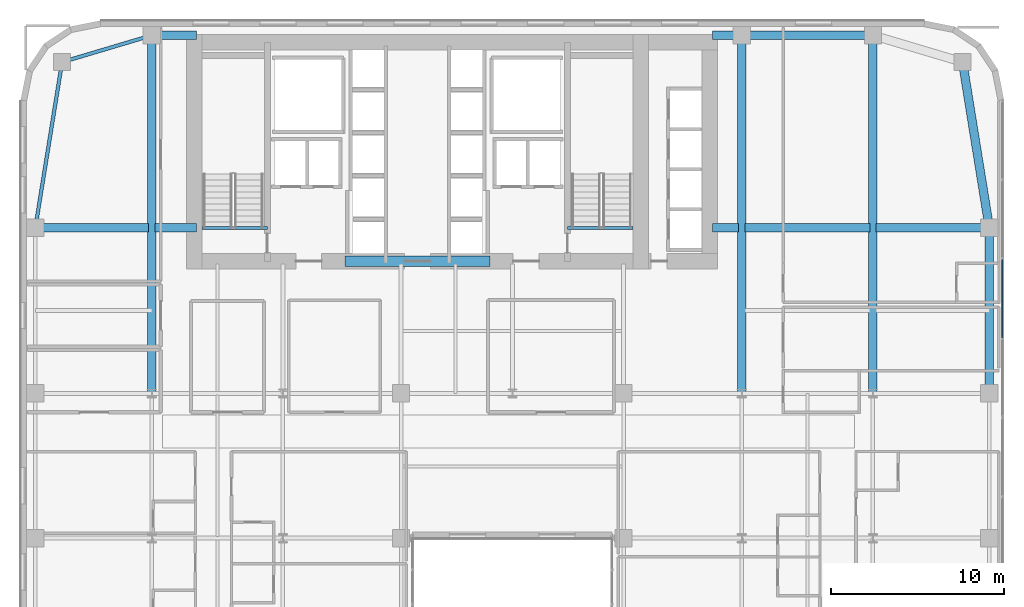
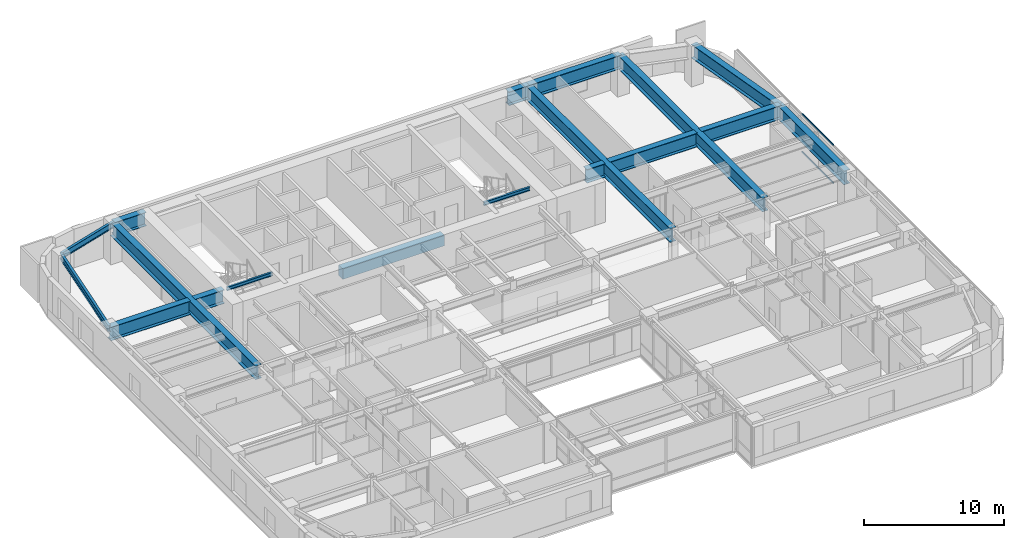
# One storey, part 16 of 31: 18 beams, 3 members, 1 element without a shape of its own.
"""IFC4 building model written with IfcOpenShell, lengths in metres."""

from ifc_helpers import new_model, si_unit, direction, frame, origin, origin_2d, place, context, subcontext, project, spatial, rectangle, hollow_rectangle, i_section, extrude, source, transform, mapped, material, layer, layer_set, material_profile, profile_set, type_object, type_shapes, element, aggregate, save


model = new_model("IFC4")

# Units and contexts
model_context = context("Model", 3, precision=1e-05, world=origin(), true_north=direction((0.0, 1.0)))
body_context = subcontext(model_context, "Body", "Model", "MODEL_VIEW")
ifc_project = project(units=[si_unit("LENGTHUNIT", "METRE"), si_unit("AREAUNIT", "SQUARE_METRE"), si_unit("VOLUMEUNIT", "CUBIC_METRE"), si_unit("PLANEANGLEUNIT", "RADIAN"), si_unit("MASSUNIT", "GRAM", prefix="KILO")], contexts=[model_context])

# Site, building, storey
site_placement = place(None, origin())
site = spatial("IfcSite", under=ifc_project, at=site_placement, CompositionType="ELEMENT")
building_placement = place(site_placement, origin())
building = spatial("IfcBuilding", under=site, at=building_placement, Name="Tolvann Quenvar Hotel", CompositionType="ELEMENT")
storey_placement = place(building_placement, frame((0.0, 0.0, 74.60009765625)))
storey = spatial("IfcBuildingStorey", under=building, at=storey_placement, Name="L18", CompositionType="ELEMENT", Elevation=74.60009765625)

# Beams
ifc_material_1 = material(Name="Concrete N50 (50 MPa)", Category="concrete")
ifc_material_profile_1 = material_profile(ifc_material_1, rectangle(XDim=0.60009765625, YDim=0.89990234375, at=origin_2d()), Name="RC600x900")
ifc_profile_set_1 = profile_set([ifc_material_profile_1], Name="Concrete N50 (50 MPa)")
beam_type_1 = type_object("IfcBeamType", Name="BM_LINT_RC600x900", PredefinedType="LINTEL", material=ifc_profile_set_1)
shared_shape_1 = source(origin(), body_context, "Body", "SweptSolid", [
    extrude(rectangle(XDim=0.60009765625, YDim=0.89990234375, at=origin_2d()), origin(), (0.0, 0.0, 1.0), 8.39990234375),
])
type_shapes(beam_type_1, [shared_shape_1])
beam_1_placement = place(storey_placement, frame((18.800048828125, 32.050048828125, 2.919921875), z_axis=(1.0, 0.0, 0.0), x_axis=(0.0, 1.0, 0.0)))
element("IfcBeam", 1, at=beam_1_placement, inside=storey, type_object=beam_type_1, Name="Core Coupling Lintel Beam (L18)", PredefinedType="LINTEL", context=body_context, shape_type="MappedRepresentation", body=[
    mapped(shared_shape_1, transform((0.0, 0.0, 0.0), x_axis=(1.0, 0.0, 0.0), y_axis=(0.0, 1.0, 0.0), z_axis=(0.0, 0.0, 1.0), scale=1.0)),
])
ifc_material_2 = material(Name="Steel Grade 350", Category="steel")
ifc_material_profile_2 = material_profile(ifc_material_2, i_section(OverallWidth=0.5, OverallDepth=1.199951171875, WebThickness=0.01611328125, FlangeThickness=0.0400390625, at=origin_2d()), Name="1200WB455")
ifc_profile_set_2 = profile_set([ifc_material_profile_2], Name="Steel Grade 350")
beam_type_2 = type_object("IfcBeamType", Name="BM_TG_1200WB455", PredefinedType="USERDEFINED", material=ifc_profile_set_2)
shared_shape_2 = source(origin(), body_context, "Body", "SweptSolid", [
    extrude(i_section(OverallWidth=0.5, OverallDepth=1.199951171875, WebThickness=0.01611328125, FlangeThickness=0.0400390625, at=origin_2d()), origin(), (0.0, 0.0, 1.0), 7.599853515625),
])
beam_2_placement = place(storey_placement, frame((49.39990234375, 45.14990234375, 2.77001953125), z_axis=(-1.0, 0.0, 0.0), x_axis=(0.0, -1.0, 0.0)))
element("IfcBeam", 2, at=beam_2_placement, inside=storey, type_object=beam_type_2, Name="BM-L18-FLK-E4", ObjectType="TRANSFER GIRDER", PredefinedType="USERDEFINED", context=body_context, shape_type="MappedRepresentation", body=[
    mapped(shared_shape_2, transform((0.0, 0.0, 0.0), x_axis=(1.0, 0.0, 0.0), y_axis=(0.0, 1.0, 0.0), z_axis=(0.0, 0.0, 1.0), scale=1.0)),
])
shared_shape_3 = source(origin(), body_context, "Body", "SweptSolid", [
    extrude(i_section(OverallWidth=0.5, OverallDepth=1.199951171875, WebThickness=0.01611328125, FlangeThickness=0.0400390625, at=origin_2d()), origin(), (0.0, 0.0, 1.0), 9.60009765625),
])
beam_3_placement = place(storey_placement, frame((56.14990234375, 24.39990234375, 2.77001953125), z_axis=(0.0, 1.0, 0.0), x_axis=(-1.0, 0.0, 0.0)))
element("IfcBeam", 3, at=beam_3_placement, inside=storey, type_object=beam_type_2, Name="BM-L18-FLK-E1", ObjectType="TRANSFER GIRDER", PredefinedType="USERDEFINED", context=body_context, shape_type="MappedRepresentation", body=[
    mapped(shared_shape_3, transform((0.0, 0.0, 0.0), x_axis=(1.0, 0.0, 0.0), y_axis=(0.0, 1.0, 0.0), z_axis=(0.0, 0.0, 1.0), scale=1.0)),
])
ifc_material_profile_3 = material_profile(ifc_material_2, i_section(OverallWidth=0.208984375, OverallDepth=0.528076171875, WebThickness=0.009521484375, FlangeThickness=0.01318359375, FilletRadius=0.013916015625, at=origin_2d()), Name="530UB82")
ifc_profile_set_3 = profile_set([ifc_material_profile_3], Name="Steel Grade 350")
beam_type_3 = type_object("IfcBeamType", Name="BM_SPAND_530UB82", PredefinedType="SPANDREL", material=ifc_profile_set_3)
shared_shape_4 = source(origin(), body_context, "Body", "SweptSolid", [
    extrude(i_section(OverallWidth=0.208984375, OverallDepth=0.528076171875, WebThickness=0.009521484375, FlangeThickness=0.01318359375, FilletRadius=0.013916015625, at=origin_2d()), origin(), (0.0, 0.0, 1.0), 5.42626953125),
])
beam_4_placement = place(storey_placement, frame((2.39990234375, 43.60009765625, 3.10595703125), z_axis=(0.958344815522, 0.285613750654, 0.0), x_axis=(-0.285613750654, 0.958344815522, 0.0)))
element("IfcBeam", 4, at=beam_4_placement, inside=storey, type_object=beam_type_3, Name="BM-L18-FLK-W3", PredefinedType="SPANDREL", context=body_context, shape_type="MappedRepresentation", body=[
    mapped(shared_shape_4, transform((0.0, 0.0, 0.0), x_axis=(1.0, 0.0, 0.0), y_axis=(0.0, 1.0, 0.0), z_axis=(0.0, 0.0, 1.0), scale=1.0)),
])
shared_shape_5 = source(origin(), body_context, "Body", "SweptSolid", [
    extrude(i_section(OverallWidth=0.208984375, OverallDepth=0.528076171875, WebThickness=0.009521484375, FlangeThickness=0.01318359375, FilletRadius=0.013916015625, at=origin_2d()), origin(), (0.0, 0.0, 1.0), 9.724365234375),
])
type_shapes(beam_type_3, [shared_shape_4, shared_shape_5])
beam_5_placement = place(storey_placement, frame((0.85009765625, 34.0, 3.10595703125), z_axis=(0.159372939192, 0.987218449105, 0.0), x_axis=(-0.987218449105, 0.159372939192, 0.0)))
element("IfcBeam", 5, at=beam_5_placement, inside=storey, type_object=beam_type_3, Name="BM-L18-FLK-W2", PredefinedType="SPANDREL", context=body_context, shape_type="MappedRepresentation", body=[
    mapped(shared_shape_5, transform((0.0, 0.0, 0.0), x_axis=(1.0, 0.0, 0.0), y_axis=(0.0, 1.0, 0.0), z_axis=(0.0, 0.0, 1.0), scale=1.0)),
])
shared_shape_6 = source(origin(), body_context, "Body", "SweptSolid", [
    extrude(i_section(OverallWidth=0.5, OverallDepth=1.199951171875, WebThickness=0.01611328125, FlangeThickness=0.0400390625, at=origin_2d()), origin(), (0.0, 0.0, 1.0), 20.75),
])
for number, where, z_axis, x_axis, name in (
    (6, (7.60009765625, 24.39990234375, 2.77001953125), (0.0, 1.0, 0.0), (-1.0, 0.0, 0.0), "BM-L18-FLK-WC"),
    (7, (41.800048828125, 24.39990234375, 2.77001953125), (0.0, 1.0, 0.0), (-1.0, 0.0, 0.0), "BM-L18-FLK-EH"),
    (8, (49.39990234375, 24.39990234375, 2.77001953125), (0.0, 1.0, 0.0), (-1.0, 0.0, 0.0), "BM-L18-FLK-EI"),
):
    element("IfcBeam", number, at=place(storey_placement, frame(where, z_axis=z_axis, x_axis=x_axis)), inside=storey, type_object=beam_type_2, Name=name, ObjectType="TRANSFER GIRDER", PredefinedType="USERDEFINED", context=body_context, shape_type="MappedRepresentation", body=[
        mapped(shared_shape_6, transform((0.0, 0.0, 0.0), x_axis=(1.0, 0.0, 0.0), y_axis=(0.0, 1.0, 0.0), z_axis=(0.0, 0.0, 1.0), scale=1.0)),
    ])
shared_shape_7 = source(origin(), body_context, "Body", "SweptSolid", [
    extrude(i_section(OverallWidth=0.5, OverallDepth=1.199951171875, WebThickness=0.01611328125, FlangeThickness=0.0400390625, at=origin_2d()), origin(), (0.0, 0.0, 1.0), 6.56982421875),
])
for number, where, z_axis, x_axis, name in (
    (9, (0.85009765625, 34.0, 2.77001953125), (1.0, 0.0, 0.0), (0.0, 1.0, 0.0), "BM-L18-CTW-MID1"),
    (10, (49.580078125, 34.0, 2.77001953125), (1.0, 0.0, 0.0), (0.0, 1.0, 0.0), "BM-L18-CTE-JD6C"),
):
    element("IfcBeam", number, at=place(storey_placement, frame(where, z_axis=z_axis, x_axis=x_axis)), inside=storey, type_object=beam_type_2, Name=name, ObjectType="TRANSFER GIRDER", PredefinedType="USERDEFINED", context=body_context, shape_type="MappedRepresentation", body=[
        mapped(shared_shape_7, transform((0.0, 0.0, 0.0), x_axis=(1.0, 0.0, 0.0), y_axis=(0.0, 1.0, 0.0), z_axis=(0.0, 0.0, 1.0), scale=1.0)),
    ])
shared_shape_8 = source(origin(), body_context, "Body", "SweptSolid", [
    extrude(i_section(OverallWidth=0.5, OverallDepth=1.199951171875, WebThickness=0.01611328125, FlangeThickness=0.0400390625, at=origin_2d()), origin(), (0.0, 0.0, 1.0), 2.419921875),
])
beam_6_placement = place(storey_placement, frame((7.780029296875, 34.0, 2.77001953125), z_axis=(1.0, 0.0, 0.0), x_axis=(0.0, 1.0, 0.0)))
element("IfcBeam", 11, at=beam_6_placement, inside=storey, type_object=beam_type_2, Name="BM-L18-CTW-MID2", ObjectType="TRANSFER GIRDER", PredefinedType="USERDEFINED", context=body_context, shape_type="MappedRepresentation", body=[
    mapped(shared_shape_8, transform((0.0, 0.0, 0.0), x_axis=(1.0, 0.0, 0.0), y_axis=(0.0, 1.0, 0.0), z_axis=(0.0, 0.0, 1.0), scale=1.0)),
])
shared_shape_9 = source(origin(), body_context, "Body", "SweptSolid", [
    extrude(i_section(OverallWidth=0.5, OverallDepth=1.199951171875, WebThickness=0.01611328125, FlangeThickness=0.0400390625, at=origin_2d()), origin(), (0.0, 0.0, 1.0), 2.599853515625),
])
beam_7_placement = place(storey_placement, frame((7.60009765625, 45.14990234375, 2.77001953125), z_axis=(1.0, 0.0, 0.0), x_axis=(0.0, 1.0, 0.0)))
element("IfcBeam", 12, at=beam_7_placement, inside=storey, type_object=beam_type_2, Name="BM-L18-CTW-CN", ObjectType="TRANSFER GIRDER", PredefinedType="USERDEFINED", context=body_context, shape_type="MappedRepresentation", body=[
    mapped(shared_shape_9, transform((0.0, 0.0, 0.0), x_axis=(1.0, 0.0, 0.0), y_axis=(0.0, 1.0, 0.0), z_axis=(0.0, 0.0, 1.0), scale=1.0)),
])
shared_shape_10 = source(origin(), body_context, "Body", "SweptSolid", [
    extrude(i_section(OverallWidth=0.5, OverallDepth=1.199951171875, WebThickness=0.01611328125, FlangeThickness=0.0400390625, at=origin_2d()), origin(), (0.0, 0.0, 1.0), 9.724365234375),
])
beam_8_placement = place(storey_placement, frame((56.14990234375, 34.0, 2.77001953125), z_axis=(-0.159372939192, 0.987218449105, 0.0), x_axis=(-0.987218449105, -0.159372939192, 0.0)))
element("IfcBeam", 13, at=beam_8_placement, inside=storey, type_object=beam_type_2, Name="BM-L18-FLK-E2", ObjectType="TRANSFER GIRDER", PredefinedType="USERDEFINED", context=body_context, shape_type="MappedRepresentation", body=[
    mapped(shared_shape_10, transform((0.0, 0.0, 0.0), x_axis=(1.0, 0.0, 0.0), y_axis=(0.0, 1.0, 0.0), z_axis=(0.0, 0.0, 1.0), scale=1.0)),
])
shared_shape_11 = source(origin(), body_context, "Body", "SweptSolid", [
    extrude(i_section(OverallWidth=0.5, OverallDepth=1.199951171875, WebThickness=0.01611328125, FlangeThickness=0.0400390625, at=origin_2d()), origin(), (0.0, 0.0, 1.0), 1.699951171875),
])
beam_9_placement = place(storey_placement, frame((40.10009765625, 45.14990234375, 2.77001953125), z_axis=(1.0, 0.0, 0.0), x_axis=(0.0, 1.0, 0.0)))
element("IfcBeam", 14, at=beam_9_placement, inside=storey, type_object=beam_type_2, Name="BM-L18-CTE-HN", ObjectType="TRANSFER GIRDER", PredefinedType="USERDEFINED", context=body_context, shape_type="MappedRepresentation", body=[
    mapped(shared_shape_11, transform((0.0, 0.0, 0.0), x_axis=(1.0, 0.0, 0.0), y_axis=(0.0, 1.0, 0.0), z_axis=(0.0, 0.0, 1.0), scale=1.0)),
])
shared_shape_12 = source(origin(), body_context, "Body", "SweptSolid", [
    extrude(i_section(OverallWidth=0.5, OverallDepth=1.199951171875, WebThickness=0.01611328125, FlangeThickness=0.0400390625, at=origin_2d()), origin(), (0.0, 0.0, 1.0), 1.52001953125),
])
beam_10_placement = place(storey_placement, frame((40.10009765625, 34.0, 2.77001953125), z_axis=(1.0, 0.0, 0.0), x_axis=(0.0, 1.0, 0.0)))
element("IfcBeam", 15, at=beam_10_placement, inside=storey, type_object=beam_type_2, Name="BM-L18-CTE-JD6A", ObjectType="TRANSFER GIRDER", PredefinedType="USERDEFINED", context=body_context, shape_type="MappedRepresentation", body=[
    mapped(shared_shape_12, transform((0.0, 0.0, 0.0), x_axis=(1.0, 0.0, 0.0), y_axis=(0.0, 1.0, 0.0), z_axis=(0.0, 0.0, 1.0), scale=1.0)),
])
shared_shape_13 = source(origin(), body_context, "Body", "SweptSolid", [
    extrude(i_section(OverallWidth=0.5, OverallDepth=1.199951171875, WebThickness=0.01611328125, FlangeThickness=0.0400390625, at=origin_2d()), origin(), (0.0, 0.0, 1.0), 7.239990234375),
])
type_shapes(beam_type_2, [shared_shape_2, shared_shape_3, shared_shape_6, shared_shape_7, shared_shape_8, shared_shape_9, shared_shape_10, shared_shape_11, shared_shape_12, shared_shape_13])
beam_11_placement = place(storey_placement, frame((41.97998046875, 34.0, 2.77001953125), z_axis=(1.0, 0.0, 0.0), x_axis=(0.0, 1.0, 0.0)))
element("IfcBeam", 16, at=beam_11_placement, inside=storey, type_object=beam_type_2, Name="BM-L18-CTE-JD6B", ObjectType="TRANSFER GIRDER", PredefinedType="USERDEFINED", context=body_context, shape_type="MappedRepresentation", body=[
    mapped(shared_shape_13, transform((0.0, 0.0, 0.0), x_axis=(1.0, 0.0, 0.0), y_axis=(0.0, 1.0, 0.0), z_axis=(0.0, 0.0, 1.0), scale=1.0)),
])
ifc_material_profile_4 = material_profile(ifc_material_2, i_section(OverallWidth=0.166015625, OverallDepth=0.306884765625, WebThickness=0.006591796875, FlangeThickness=0.01171875, FilletRadius=0.011474609375, at=origin_2d()), Name="310UB46")
ifc_profile_set_4 = profile_set([ifc_material_profile_4], Name="Steel Grade 350")
beam_type_4 = type_object("IfcBeamType", Name="BM_JOIST_310UB46", PredefinedType="JOIST", material=ifc_profile_set_4)
shared_shape_14 = source(origin(), body_context, "Body", "SweptSolid", [
    extrude(i_section(OverallWidth=0.166015625, OverallDepth=0.306884765625, WebThickness=0.006591796875, FlangeThickness=0.01171875, FilletRadius=0.011474609375, at=origin_2d()), origin(), (0.0, 0.0, 1.0), 3.800048828125),
])
type_shapes(beam_type_4, [shared_shape_14])
for number, where, z_axis, x_axis, name in (
    (17, (10.5, 33.97998046875, 3.21630859375), (1.0, 0.0, 0.0), (0.0, 1.0, 0.0), "BM-HDR-STC1-L19"),
    (18, (31.699951171875, 33.97998046875, 3.21630859375), (1.0, 0.0, 0.0), (0.0, 1.0, 0.0), "BM-HDR-STC2-L19"),
):
    element("IfcBeam", number, at=place(storey_placement, frame(where, z_axis=z_axis, x_axis=x_axis)), inside=storey, type_object=beam_type_4, Name=name, PredefinedType="JOIST", context=body_context, shape_type="MappedRepresentation", body=[
        mapped(shared_shape_14, transform((0.0, 0.0, 0.0), x_axis=(1.0, 0.0, 0.0), y_axis=(0.0, 1.0, 0.0), z_axis=(0.0, 0.0, 1.0), scale=1.0)),
    ])

# Curtain wall, members
ifc_material_3 = material(Name="Thermally broken anodised architectural aluminium 6063-T6 and laminated low-E glass", Category="aluminium")
ifc_layer = layer(ifc_material_3, 0.179931640625)
ifc_layer_set = layer_set([ifc_layer], Name="Thermally broken anodised architectural aluminium 6063-T6 and laminated low-E glass")
curtain_wall_type = type_object("IfcCurtainWallType", Name="CW_SYS_BAND_04", PredefinedType="USERDEFINED", material=ifc_layer_set)
curtain_wall_placement = place(storey_placement, origin())
curtain_wall = element("IfcCurtainWall", 19, at=curtain_wall_placement, inside=storey, type_object=curtain_wall_type, Name="Curtain Wall CW-BAND-04 (CWR-L18-E13)", ObjectType="UNITISED CURTAIN WALL", PredefinedType="USERDEFINED")
ifc_material_4 = material(Name="Anodised architectural aluminium 6063-T6 framing", Category="aluminium")
ifc_material_profile_5 = material_profile(ifc_material_4, hollow_rectangle(XDim=0.06005859375, YDim=0.1201171875, WallThickness=0.00341796875, at=origin_2d()), Name="120x60x3.5RHS")
ifc_profile_set_5 = profile_set([ifc_material_profile_5], Name="Anodised architectural aluminium 6063-T6 framing")
member_type = type_object("IfcMemberType", Name="CW_TRAN_120x60", PredefinedType="USERDEFINED", material=ifc_profile_set_5)
shared_shape_15 = source(origin(), body_context, "Body", "SweptSolid", [
    extrude(hollow_rectangle(XDim=0.06005859375, YDim=0.1201171875, WallThickness=0.00341796875, at=origin_2d()), origin(), (0.0, 0.0, 1.0), 4.52587890625),
])
type_shapes(member_type, [shared_shape_15])
member_1_placement = place(storey_placement, frame((56.909912109375, 27.630615234375, 0.02978515625), z_axis=(0.0, 1.0, 0.0), x_axis=(-1.0, 0.0, 0.0)))
member_1 = element("IfcMember", 20, at=member_1_placement, type_object=member_type, Name="CW-BAND-04 transom 6.1", ObjectType="TRANSOM", PredefinedType="USERDEFINED", context=body_context, shape_type="MappedRepresentation", body=[
    mapped(shared_shape_15, transform((0.0, 0.0, 0.0), x_axis=(1.0, 0.0, 0.0), y_axis=(0.0, 1.0, 0.0), z_axis=(0.0, 0.0, 1.0), scale=1.0)),
])
member_2_placement = place(storey_placement, frame((56.909912109375, 27.630615234375, 1.0498046875), z_axis=(0.0, 1.0, 0.0), x_axis=(-1.0, 0.0, 0.0)))
member_2 = element("IfcMember", 21, at=member_2_placement, type_object=member_type, Name="CW-BAND-04 transom 6.2", ObjectType="TRANSOM", PredefinedType="USERDEFINED", context=body_context, shape_type="MappedRepresentation", body=[
    mapped(shared_shape_15, transform((0.0, 0.0, 0.0), x_axis=(1.0, 0.0, 0.0), y_axis=(0.0, 1.0, 0.0), z_axis=(0.0, 0.0, 1.0), scale=1.0)),
])
member_3_placement = place(storey_placement, frame((56.909912109375, 27.630615234375, 3.33984375), z_axis=(0.0, 1.0, 0.0), x_axis=(-1.0, 0.0, 0.0)))
member_3 = element("IfcMember", 22, at=member_3_placement, type_object=member_type, Name="CW-BAND-04 transom 6.3", ObjectType="TRANSOM", PredefinedType="USERDEFINED", context=body_context, shape_type="MappedRepresentation", body=[
    mapped(shared_shape_15, transform((0.0, 0.0, 0.0), x_axis=(1.0, 0.0, 0.0), y_axis=(0.0, 1.0, 0.0), z_axis=(0.0, 0.0, 1.0), scale=1.0)),
])
aggregate(curtain_wall, [member_1, member_2, member_3])

save(model, "model.ifc")
